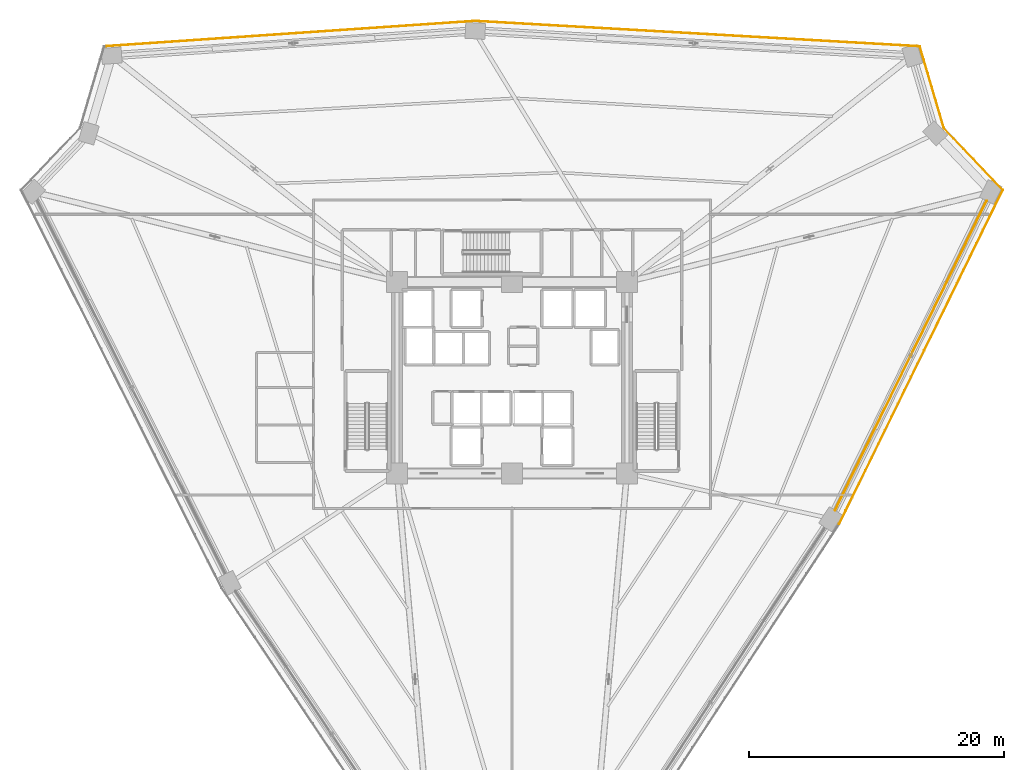
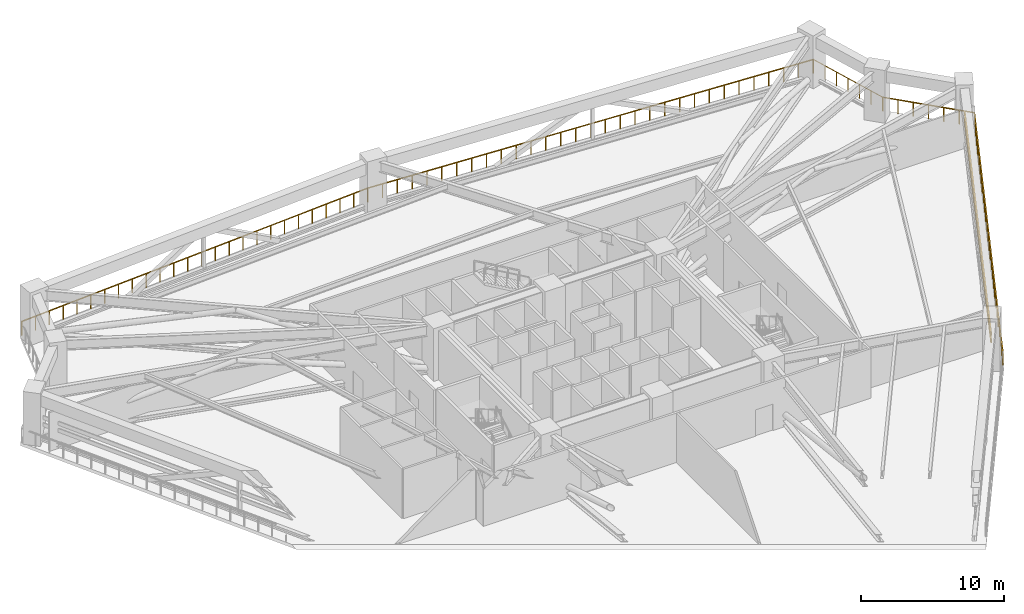
# One storey, part 25 of 25: 5 railings, 2 shading devices.
"""IFC4 building model written with IfcOpenShell, lengths in metres."""

import ifcopenshell
import ifcopenshell.guid

model = None  # the IFC model being written
_history = None  # IfcOwnerHistory: only IFC2X3 demands one
_inside = {}  # id of a spatial element -> (the spatial element, [elements in it])
_under = {}  # id of a project, library or spatial element -> (it, [spatial elements below it])
_declared = {}  # id of a project -> (the project, [libraries it declares])
_typed = {}  # id of a type object -> (the type object, [elements of that type])
_made_of = {}  # id of a material, layer set ... -> (it, [elements and type objects made of it])


def new_model(schema):
    """Start an empty IFC model of exactly this schema.

    Asked for "IFC4X3", IfcOpenShell would pick the latest addendum, in which some entities
    have other attributes; the version numbers below select the first issue.
    IFC2X3 requires an IfcOwnerHistory on every rooted entity: one is made here for all.
    """
    global model, _history
    if schema == "IFC4X3":
        model = ifcopenshell.file(schema_version=(4, 3, 0, 0))
    else:
        model = ifcopenshell.file(schema=schema)
    _inside.clear()
    _under.clear()
    _declared.clear()
    _typed.clear()
    _made_of.clear()
    _history = None
    if model.schema == "IFC2X3":
        org = make("IfcOrganization", Name="unknown")
        user = make(
            "IfcPersonAndOrganization",
            ThePerson=make("IfcPerson", FamilyName="unknown"),
            TheOrganization=org,
        )
        app = make(
            "IfcApplication",
            ApplicationDeveloper=org,
            Version="unknown",
            ApplicationFullName="unknown",
            ApplicationIdentifier="unknown",
        )
        _history = make(
            "IfcOwnerHistory",
            OwningUser=user,
            OwningApplication=app,
            ChangeAction="ADDED",
            CreationDate=0,
        )
    return model


def make(cls, **values):
    """One entity of the class cls with the attributes given. An attribute that is None is left unset."""
    return model.create_entity(
        cls, **{name: value for name, value in values.items() if value is not None}
    )


def rooted(cls, **values):
    """An entity with a GlobalId (a new one), such as an element, a storey or a relation."""
    return make(cls, GlobalId=ifcopenshell.guid.new(), OwnerHistory=_history, **values)


def si_unit(unit_type, name, prefix=None):
    """IfcSIUnit, for example si_unit("LENGTHUNIT", "METRE", prefix="MILLI")."""
    return make("IfcSIUnit", UnitType=unit_type, Prefix=prefix, Name=name)


def assignment(units):
    """IfcUnitAssignment: the units of a project."""
    return None if units is None else make("IfcUnitAssignment", Units=units)


def point(xyz):
    """IfcCartesianPoint."""
    return None if xyz is None else make("IfcCartesianPoint", Coordinates=xyz)


def direction(xyz):
    """IfcDirection."""
    return None if xyz is None else make("IfcDirection", DirectionRatios=xyz)


def frame(location, z_axis=None, x_axis=None):
    """IfcAxis2Placement3D, a coordinate frame: its origin and axes. An axis left out is left unset."""
    return make(
        "IfcAxis2Placement3D",
        Location=point(location),
        Axis=direction(z_axis),
        RefDirection=direction(x_axis),
    )


def frame_2d(location, x_axis=None):
    """IfcAxis2Placement2D, a coordinate frame in the plane: its origin and x axis."""
    return make(
        "IfcAxis2Placement2D", Location=point(location), RefDirection=direction(x_axis)
    )


def origin():
    """The frame at (0, 0, 0) with its axes left unset."""
    return frame((0.0, 0.0, 0.0))


def origin_2d():
    """The frame at (0, 0) in the plane with its x axis left unset."""
    return frame_2d((0.0, 0.0))


def place(relative_to, where):
    """IfcLocalPlacement: puts the frame where relative to a parent placement (None: the world)."""
    return make(
        "IfcLocalPlacement", PlacementRelTo=relative_to, RelativePlacement=where
    )


def context(
    kind, dimensions, precision=None, world=None, true_north=None, identifier=None
):
    """IfcGeometricRepresentationContext, for example the 3D "Model" context."""
    return make(
        "IfcGeometricRepresentationContext",
        ContextIdentifier=identifier,
        ContextType=kind,
        CoordinateSpaceDimension=dimensions,
        Precision=precision,
        WorldCoordinateSystem=world,
        TrueNorth=true_north,
    )


def subcontext(parent, identifier, kind, view, scale=None):
    """IfcGeometricRepresentationSubContext, for example "Body" below "Model"."""
    return make(
        "IfcGeometricRepresentationSubContext",
        ContextIdentifier=identifier,
        ContextType=kind,
        ParentContext=parent,
        TargetScale=scale,
        TargetView=view,
    )


def project(units=None, contexts=None):
    """IfcProject with its units and contexts."""
    return rooted(
        "IfcProject",
        Name="project",
        RepresentationContexts=contexts,
        UnitsInContext=assignment(units),
    )


def spatial(cls, under=None, at=None, **own):
    """A site, building, storey or space (cls), placed at a placement, below another one or the project."""
    s = rooted(cls, ObjectPlacement=at, **own)
    if under is not None:
        _under.setdefault(under.id(), (under, []))[1].append(s)
    return s


def profile(cls, at=None, kind="AREA", **sizes):
    """A parametric profile (cls). Its sizes go by their IFC names, for example OverallWidth=200.0."""
    return make(cls, ProfileType=kind, Position=at, **sizes)


def rectangle(**sizes):
    """IfcRectangleProfileDef."""
    return profile("IfcRectangleProfileDef", **sizes)


def extrude(swept, where, along, depth):
    """IfcExtrudedAreaSolid: the profile swept, set in the frame where, extruded along a direction by depth."""
    return make(
        "IfcExtrudedAreaSolid",
        SweptArea=swept,
        Position=where,
        ExtrudedDirection=direction(along),
        Depth=depth,
    )


def shape(context_of_items, identifier, shape_type, items):
    """IfcShapeRepresentation: the items that make up one representation, for example the "Body"."""
    return make(
        "IfcShapeRepresentation",
        ContextOfItems=context_of_items,
        RepresentationIdentifier=identifier,
        RepresentationType=shape_type,
        Items=items,
    )


def source(mapping_origin, context_of_items, identifier, shape_type, items):
    """IfcRepresentationMap: a shape defined once, which mapped items show again and again."""
    return make(
        "IfcRepresentationMap",
        MappingOrigin=mapping_origin,
        MappedRepresentation=shape(context_of_items, identifier, shape_type, items),
    )


def transform(
    local_origin,
    x_axis=None,
    y_axis=None,
    z_axis=None,
    scale=None,
    scale2=None,
    scale3=None,
    uniform=True,
):
    """IfcCartesianTransformationOperator3D, or its non-uniform kind. x_axis, y_axis, z_axis: its Axis1, 2, 3."""
    if uniform:
        return make(
            "IfcCartesianTransformationOperator3D",
            Axis1=direction(x_axis),
            Axis2=direction(y_axis),
            LocalOrigin=point(local_origin),
            Scale=scale,
            Axis3=direction(z_axis),
        )
    return make(
        "IfcCartesianTransformationOperator3DnonUniform",
        Axis1=direction(x_axis),
        Axis2=direction(y_axis),
        LocalOrigin=point(local_origin),
        Scale=scale,
        Axis3=direction(z_axis),
        Scale2=scale2,
        Scale3=scale3,
    )


def mapped(mapping_source, mapping_target):
    """IfcMappedItem: shows the shape of a source again, moved by a transform."""
    return make(
        "IfcMappedItem", MappingSource=mapping_source, MappingTarget=mapping_target
    )


def material(Name=None, Category=None):
    """IfcMaterial."""
    return make("IfcMaterial", Name=Name, Category=Category)


def material_profile(
    of_material, cross_section, Name=None, Category=None, Priority=None
):
    """IfcMaterialProfile: a cross section and its material."""
    return make(
        "IfcMaterialProfile",
        Name=Name,
        Material=of_material,
        Profile=cross_section,
        Priority=Priority,
        Category=Category,
    )


def profile_set(profiles, Name=None, composite=None):
    """IfcMaterialProfileSet."""
    return make(
        "IfcMaterialProfileSet",
        Name=Name,
        MaterialProfiles=profiles,
        CompositeProfile=composite,
    )


def made_of(thing, what):
    """Note that an element or type object is made of a material, layer set ...; save() writes the relation."""
    if what is not None:
        _made_of.setdefault(what.id(), (what, []))[1].append(thing)
    return thing


def type_object(cls, material=None, **own):
    """A type object (cls), such as IfcWallType, which elements share."""
    return made_of(rooted(cls, **own), material)


def element(
    cls,
    number,
    at=None,
    inside=None,
    cuts=None,
    type_object=None,
    material=None,
    context=None,
    identifier="Body",
    shape_type=None,
    held_by="IfcProductDefinitionShape",
    body=None,
    shapes=None,
    **own,
):
    """One element of the class cls, such as IfcWall. Its Tag is "e" and its number.

    at: its placement. inside: the storey or other place that contains it. cuts: it is an
    opening in that element (IfcRelVoidsElement). A single representation is given by context,
    identifier, shape_type and body (its items); several are given by shapes. held_by: the class
    of the entity that holds the representations. save() writes the other relations.
    """
    e = rooted(cls, Tag="e%d" % number, ObjectPlacement=at, **own)
    if body is not None:
        shapes = [shape(context, identifier, shape_type, body)]
    if shapes is not None:
        e.Representation = make(held_by, Representations=shapes)
    if inside is not None:
        _inside.setdefault(inside.id(), (inside, []))[1].append(e)
    if cuts is not None:
        rooted(
            "IfcRelVoidsElement", RelatingBuildingElement=cuts, RelatedOpeningElement=e
        )
    if type_object is not None:
        _typed.setdefault(type_object.id(), (type_object, []))[1].append(e)
    return made_of(e, material)


def aggregate(whole, parts):
    """IfcRelAggregates: a whole, such as a stair, and the parts it consists of."""
    return rooted("IfcRelAggregates", RelatingObject=whole, RelatedObjects=parts)


def save(model, path):
    """Write the relations noted so far, then the file.

    IfcRelAggregates (storeys below a building ...), IfcRelContainedInSpatialStructure (elements
    in a storey), IfcRelDefinesByType, IfcRelAssociatesMaterial and IfcRelDeclares: one each for
    every whole, place, type object, material and project.
    """
    for whole, parts in _under.values():
        aggregate(whole, parts)
    for where, things in _inside.values():
        rooted(
            "IfcRelContainedInSpatialStructure",
            RelatedElements=things,
            RelatingStructure=where,
        )
    for kind, things in _typed.values():
        rooted("IfcRelDefinesByType", RelatedObjects=things, RelatingType=kind)
    for what, things in _made_of.values():
        rooted("IfcRelAssociatesMaterial", RelatedObjects=things, RelatingMaterial=what)
    for by, libraries in _declared.values():
        rooted("IfcRelDeclares", RelatingContext=by, RelatedDefinitions=libraries)
    model.write(path)


model = new_model("IFC4")

# Units and contexts
model_context = context("Model", 3, precision=1e-05, world=origin(), true_north=direction((0.0, 1.0)))
body_context = subcontext(model_context, "Body", "Model", "MODEL_VIEW")
ifc_project = project(units=[si_unit("LENGTHUNIT", "METRE"), si_unit("AREAUNIT", "SQUARE_METRE"), si_unit("VOLUMEUNIT", "CUBIC_METRE"), si_unit("PLANEANGLEUNIT", "RADIAN"), si_unit("MASSUNIT", "GRAM", prefix="KILO")], contexts=[model_context])

# Site, building, storey
site_placement = place(None, origin())
site = spatial("IfcSite", under=ifc_project, at=site_placement, CompositionType="ELEMENT")
building_placement = place(site_placement, origin())
building = spatial("IfcBuilding", under=site, at=building_placement, Name="Liaohun Quay Tower", CompositionType="ELEMENT")
storey_placement = place(building_placement, frame((0.0, 0.0, 93.0)))
storey = spatial("IfcBuildingStorey", under=building, at=storey_placement, Name="L24", CompositionType="ELEMENT", Elevation=93.0)

# Railings
ifc_material_1 = material(Name="Galvanised and powder-coated steel", Category="steel")
railing_type = type_object("IfcRailingType", Name="RLG-GUARD-EXT", PredefinedType="GUARDRAIL", material=ifc_material_1)
railing_1_placement = place(storey_placement, frame((28.050048828125, 79.9541015625, 0.0)))
element("IfcRailing", 1, at=railing_1_placement, inside=storey, type_object=railing_type, Name="L24 Open Refuge Band Perimeter Guardrail 05", PredefinedType="GUARDRAIL", context=body_context, shape_type="SweptSolid", body=[
    extrude(rectangle(XDim=0.048095703125, YDim=0.048095703125, at=origin_2d()), frame((0.0, 0.0, 1.17578125), z_axis=(0.997674662834, 0.068156196626, 0.0), x_axis=(-0.068156196626, 0.997674662834, 0.0)), (0.0, 0.0, 1.0), 29.13671875),
    extrude(rectangle(XDim=0.0419921875, YDim=0.0419921875, at=origin_2d()), origin(), (0.0, 0.0, 1.0), 1.15185546875),
    extrude(rectangle(XDim=0.0419921875, YDim=0.0419921875, at=origin_2d()), frame((1.162841796875, 0.079345703125, 0.0)), (0.0, 0.0, 1.0), 1.15185546875),
    extrude(rectangle(XDim=0.0419921875, YDim=0.0419921875, at=origin_2d()), frame((2.325439453125, 0.158935546875, 0.0)), (0.0, 0.0, 1.0), 1.15185546875),
    extrude(rectangle(XDim=0.0419921875, YDim=0.0419921875, at=origin_2d()), frame((3.48828125, 0.23828125, 0.0)), (0.0, 0.0, 1.0), 1.15185546875),
    extrude(rectangle(XDim=0.0419921875, YDim=0.0419921875, at=origin_2d()), frame((4.651123046875, 0.317626953125, 0.0)), (0.0, 0.0, 1.0), 1.15185546875),
    extrude(rectangle(XDim=0.0419921875, YDim=0.0419921875, at=origin_2d()), frame((5.813720703125, 0.397216796875, 0.0)), (0.0, 0.0, 1.0), 1.15185546875),
    extrude(rectangle(XDim=0.0419921875, YDim=0.0419921875, at=origin_2d()), frame((6.9765625, 0.4765625, 0.0)), (0.0, 0.0, 1.0), 1.15185546875),
    extrude(rectangle(XDim=0.0419921875, YDim=0.0419921875, at=origin_2d()), frame((8.13916015625, 0.55615234375, 0.0)), (0.0, 0.0, 1.0), 1.15185546875),
    extrude(rectangle(XDim=0.0419921875, YDim=0.0419921875, at=origin_2d()), frame((9.302001953125, 0.635498046875, 0.0)), (0.0, 0.0, 1.0), 1.15185546875),
    extrude(rectangle(XDim=0.0419921875, YDim=0.0419921875, at=origin_2d()), frame((10.46484375, 0.71484375, 0.0)), (0.0, 0.0, 1.0), 1.15185546875),
    extrude(rectangle(XDim=0.0419921875, YDim=0.0419921875, at=origin_2d()), frame((11.62744140625, 0.79443359375, 0.0)), (0.0, 0.0, 1.0), 1.15185546875),
    extrude(rectangle(XDim=0.0419921875, YDim=0.0419921875, at=origin_2d()), frame((12.790283203125, 0.873779296875, 0.0)), (0.0, 0.0, 1.0), 1.15185546875),
    extrude(rectangle(XDim=0.0419921875, YDim=0.0419921875, at=origin_2d()), frame((13.953125, 0.953125, 0.0)), (0.0, 0.0, 1.0), 1.15185546875),
    extrude(rectangle(XDim=0.0419921875, YDim=0.0419921875, at=origin_2d()), frame((15.11572265625, 1.03271484375, 0.0)), (0.0, 0.0, 1.0), 1.15185546875),
    extrude(rectangle(XDim=0.0419921875, YDim=0.0419921875, at=origin_2d()), frame((16.278564453125, 1.112060546875, 0.0)), (0.0, 0.0, 1.0), 1.15185546875),
    extrude(rectangle(XDim=0.0419921875, YDim=0.0419921875, at=origin_2d()), frame((17.44140625, 1.19140625, 0.0)), (0.0, 0.0, 1.0), 1.15185546875),
    extrude(rectangle(XDim=0.0419921875, YDim=0.0419921875, at=origin_2d()), frame((18.60400390625, 1.27099609375, 0.0)), (0.0, 0.0, 1.0), 1.15185546875),
    extrude(rectangle(XDim=0.0419921875, YDim=0.0419921875, at=origin_2d()), frame((19.766845703125, 1.350341796875, 0.0)), (0.0, 0.0, 1.0), 1.15185546875),
    extrude(rectangle(XDim=0.0419921875, YDim=0.0419921875, at=origin_2d()), frame((20.9296875, 1.4296875, 0.0)), (0.0, 0.0, 1.0), 1.15185546875),
    extrude(rectangle(XDim=0.0419921875, YDim=0.0419921875, at=origin_2d()), frame((22.09228515625, 1.50927734375, 0.0)), (0.0, 0.0, 1.0), 1.15185546875),
    extrude(rectangle(XDim=0.0419921875, YDim=0.0419921875, at=origin_2d()), frame((23.255126953125, 1.588623046875, 0.0)), (0.0, 0.0, 1.0), 1.15185546875),
    extrude(rectangle(XDim=0.0419921875, YDim=0.0419921875, at=origin_2d()), frame((24.417724609375, 1.668212890625, 0.0)), (0.0, 0.0, 1.0), 1.15185546875),
    extrude(rectangle(XDim=0.0419921875, YDim=0.0419921875, at=origin_2d()), frame((25.58056640625, 1.74755859375, 0.0)), (0.0, 0.0, 1.0), 1.15185546875),
    extrude(rectangle(XDim=0.0419921875, YDim=0.0419921875, at=origin_2d()), frame((26.743408203125, 1.826904296875, 0.0)), (0.0, 0.0, 1.0), 1.15185546875),
    extrude(rectangle(XDim=0.0419921875, YDim=0.0419921875, at=origin_2d()), frame((27.906005859375, 1.906494140625, 0.0)), (0.0, 0.0, 1.0), 1.15185546875),
    extrude(rectangle(XDim=0.0419921875, YDim=0.0419921875, at=origin_2d()), frame((29.06884765625, 1.98583984375, 0.0)), (0.0, 0.0, 1.0), 1.15185546875),
])
railing_2_placement = place(storey_placement, frame((57.118896484375, 81.93994140625, 0.0)))
element("IfcRailing", 2, at=railing_2_placement, inside=storey, type_object=railing_type, Name="L24 Open Refuge Band Perimeter Guardrail 06", PredefinedType="GUARDRAIL", context=body_context, shape_type="SweptSolid", body=[
    extrude(rectangle(XDim=0.048095703125, YDim=0.048095703125, at=origin_2d()), frame((0.0, 0.0, 1.17578125), z_axis=(0.998376693741, -0.056955925017, 0.0), x_axis=(0.056955925017, 0.998376693741, 0.0)), (0.0, 0.0, 1.0), 34.8876953125),
    extrude(rectangle(XDim=0.0419921875, YDim=0.0419921875, at=origin_2d()), origin(), (0.0, 0.0, 1.0), 1.15185546875),
    extrude(rectangle(XDim=0.0419921875, YDim=0.0419921875, at=origin_2d()), frame((1.1611328125, -0.066162109375, 0.0)), (0.0, 0.0, 1.0), 1.15185546875),
    extrude(rectangle(XDim=0.0419921875, YDim=0.0419921875, at=origin_2d()), frame((2.322021484375, -0.132568359375, 0.0)), (0.0, 0.0, 1.0), 1.15185546875),
    extrude(rectangle(XDim=0.0419921875, YDim=0.0419921875, at=origin_2d()), frame((3.483154296875, -0.19873046875, 0.0)), (0.0, 0.0, 1.0), 1.15185546875),
    extrude(rectangle(XDim=0.0419921875, YDim=0.0419921875, at=origin_2d()), frame((4.64404296875, -0.264892578125, 0.0)), (0.0, 0.0, 1.0), 1.15185546875),
    extrude(rectangle(XDim=0.0419921875, YDim=0.0419921875, at=origin_2d()), frame((5.80517578125, -0.3310546875, 0.0)), (0.0, 0.0, 1.0), 1.15185546875),
    extrude(rectangle(XDim=0.0419921875, YDim=0.0419921875, at=origin_2d()), frame((6.96630859375, -0.3974609375, 0.0)), (0.0, 0.0, 1.0), 1.15185546875),
    extrude(rectangle(XDim=0.0419921875, YDim=0.0419921875, at=origin_2d()), frame((8.127197265625, -0.463623046875, 0.0)), (0.0, 0.0, 1.0), 1.15185546875),
    extrude(rectangle(XDim=0.0419921875, YDim=0.0419921875, at=origin_2d()), frame((9.288330078125, -0.52978515625, 0.0)), (0.0, 0.0, 1.0), 1.15185546875),
    extrude(rectangle(XDim=0.0419921875, YDim=0.0419921875, at=origin_2d()), frame((10.44921875, -0.59619140625, 0.0)), (0.0, 0.0, 1.0), 1.15185546875),
    extrude(rectangle(XDim=0.0419921875, YDim=0.0419921875, at=origin_2d()), frame((11.6103515625, -0.662353515625, 0.0)), (0.0, 0.0, 1.0), 1.15185546875),
    extrude(rectangle(XDim=0.0419921875, YDim=0.0419921875, at=origin_2d()), frame((12.771484375, -0.728515625, 0.0)), (0.0, 0.0, 1.0), 1.15185546875),
    extrude(rectangle(XDim=0.0419921875, YDim=0.0419921875, at=origin_2d()), frame((13.932373046875, -0.794921875, 0.0)), (0.0, 0.0, 1.0), 1.15185546875),
    extrude(rectangle(XDim=0.0419921875, YDim=0.0419921875, at=origin_2d()), frame((15.093505859375, -0.861083984375, 0.0)), (0.0, 0.0, 1.0), 1.15185546875),
    extrude(rectangle(XDim=0.0419921875, YDim=0.0419921875, at=origin_2d()), frame((16.25439453125, -0.92724609375, 0.0)), (0.0, 0.0, 1.0), 1.15185546875),
    extrude(rectangle(XDim=0.0419921875, YDim=0.0419921875, at=origin_2d()), frame((17.41552734375, -0.99365234375, 0.0)), (0.0, 0.0, 1.0), 1.15185546875),
    extrude(rectangle(XDim=0.0419921875, YDim=0.0419921875, at=origin_2d()), frame((18.57666015625, -1.059814453125, 0.0)), (0.0, 0.0, 1.0), 1.15185546875),
    extrude(rectangle(XDim=0.0419921875, YDim=0.0419921875, at=origin_2d()), frame((19.737548828125, -1.1259765625, 0.0)), (0.0, 0.0, 1.0), 1.15185546875),
    extrude(rectangle(XDim=0.0419921875, YDim=0.0419921875, at=origin_2d()), frame((20.898681640625, -1.192138671875, 0.0)), (0.0, 0.0, 1.0), 1.15185546875),
    extrude(rectangle(XDim=0.0419921875, YDim=0.0419921875, at=origin_2d()), frame((22.0595703125, -1.258544921875, 0.0)), (0.0, 0.0, 1.0), 1.15185546875),
    extrude(rectangle(XDim=0.0419921875, YDim=0.0419921875, at=origin_2d()), frame((23.220703125, -1.32470703125, 0.0)), (0.0, 0.0, 1.0), 1.15185546875),
    extrude(rectangle(XDim=0.0419921875, YDim=0.0419921875, at=origin_2d()), frame((24.3818359375, -1.390869140625, 0.0)), (0.0, 0.0, 1.0), 1.15185546875),
    extrude(rectangle(XDim=0.0419921875, YDim=0.0419921875, at=origin_2d()), frame((25.542724609375, -1.457275390625, 0.0)), (0.0, 0.0, 1.0), 1.15185546875),
    extrude(rectangle(XDim=0.0419921875, YDim=0.0419921875, at=origin_2d()), frame((26.703857421875, -1.5234375, 0.0)), (0.0, 0.0, 1.0), 1.15185546875),
    extrude(rectangle(XDim=0.0419921875, YDim=0.0419921875, at=origin_2d()), frame((27.86474609375, -1.589599609375, 0.0)), (0.0, 0.0, 1.0), 1.15185546875),
    extrude(rectangle(XDim=0.0419921875, YDim=0.0419921875, at=origin_2d()), frame((29.02587890625, -1.65576171875, 0.0)), (0.0, 0.0, 1.0), 1.15185546875),
    extrude(rectangle(XDim=0.0419921875, YDim=0.0419921875, at=origin_2d()), frame((30.18701171875, -1.72216796875, 0.0)), (0.0, 0.0, 1.0), 1.15185546875),
    extrude(rectangle(XDim=0.0419921875, YDim=0.0419921875, at=origin_2d()), frame((31.347900390625, -1.788330078125, 0.0)), (0.0, 0.0, 1.0), 1.15185546875),
    extrude(rectangle(XDim=0.0419921875, YDim=0.0419921875, at=origin_2d()), frame((32.509033203125, -1.8544921875, 0.0)), (0.0, 0.0, 1.0), 1.15185546875),
    extrude(rectangle(XDim=0.0419921875, YDim=0.0419921875, at=origin_2d()), frame((33.669921875, -1.9208984375, 0.0)), (0.0, 0.0, 1.0), 1.15185546875),
    extrude(rectangle(XDim=0.0419921875, YDim=0.0419921875, at=origin_2d()), frame((34.8310546875, -1.987060546875, 0.0)), (0.0, 0.0, 1.0), 1.15185546875),
])
railing_3_placement = place(storey_placement, frame((91.949951171875, 79.952880859375, 0.0)))
element("IfcRailing", 3, at=railing_3_placement, inside=storey, type_object=railing_type, Name="L24 Open Refuge Band Perimeter Guardrail 07", PredefinedType="GUARDRAIL", context=body_context, shape_type="SweptSolid", body=[
    extrude(rectangle(XDim=0.048095703125, YDim=0.048095703125, at=origin_2d()), frame((0.0, 0.0, 1.17578125), z_axis=(0.282773029231, -0.959186850379, 0.0), x_axis=(0.959186850379, 0.282773029231, 0.0)), (0.0, 0.0, 1.0), 6.687744140625),
    extrude(rectangle(XDim=0.0419921875, YDim=0.0419921875, at=origin_2d()), origin(), (0.0, 0.0, 1.0), 1.15185546875),
    extrude(rectangle(XDim=0.0419921875, YDim=0.0419921875, at=origin_2d()), frame((0.315185546875, -1.069091796875, 0.0)), (0.0, 0.0, 1.0), 1.15185546875),
    extrude(rectangle(XDim=0.0419921875, YDim=0.0419921875, at=origin_2d()), frame((0.63037109375, -2.13818359375, 0.0)), (0.0, 0.0, 1.0), 1.15185546875),
    extrude(rectangle(XDim=0.0419921875, YDim=0.0419921875, at=origin_2d()), frame((0.945556640625, -3.20751953125, 0.0)), (0.0, 0.0, 1.0), 1.15185546875),
    extrude(rectangle(XDim=0.0419921875, YDim=0.0419921875, at=origin_2d()), frame((1.2607421875, -4.276611328125, 0.0)), (0.0, 0.0, 1.0), 1.15185546875),
    extrude(rectangle(XDim=0.0419921875, YDim=0.0419921875, at=origin_2d()), frame((1.575927734375, -5.345703125, 0.0)), (0.0, 0.0, 1.0), 1.15185546875),
    extrude(rectangle(XDim=0.0419921875, YDim=0.0419921875, at=origin_2d()), frame((1.89111328125, -6.414794921875, 0.0)), (0.0, 0.0, 1.0), 1.15185546875),
])
railing_4_placement = place(storey_placement, frame((93.841064453125, 73.5380859375, 0.0)))
element("IfcRailing", 4, at=railing_4_placement, inside=storey, type_object=railing_type, Name="L24 Open Refuge Band Perimeter Guardrail 08", PredefinedType="GUARDRAIL", context=body_context, shape_type="SweptSolid", body=[
    extrude(rectangle(XDim=0.048095703125, YDim=0.048095703125, at=origin_2d()), frame((0.0, 0.0, 1.17578125), z_axis=(0.68937262734, -0.724406916501, 0.0), x_axis=(0.724406916501, 0.68937262734, 0.0)), (0.0, 0.0, 1.0), 6.68994140625),
    extrude(rectangle(XDim=0.0419921875, YDim=0.0419921875, at=origin_2d()), origin(), (0.0, 0.0, 1.0), 1.15185546875),
    extrude(rectangle(XDim=0.0419921875, YDim=0.0419921875, at=origin_2d()), frame((0.7685546875, -0.8076171875, 0.0)), (0.0, 0.0, 1.0), 1.15185546875),
    extrude(rectangle(XDim=0.0419921875, YDim=0.0419921875, at=origin_2d()), frame((1.537353515625, -1.615478515625, 0.0)), (0.0, 0.0, 1.0), 1.15185546875),
    extrude(rectangle(XDim=0.0419921875, YDim=0.0419921875, at=origin_2d()), frame((2.305908203125, -2.423095703125, 0.0)), (0.0, 0.0, 1.0), 1.15185546875),
    extrude(rectangle(XDim=0.0419921875, YDim=0.0419921875, at=origin_2d()), frame((3.074462890625, -3.230712890625, 0.0)), (0.0, 0.0, 1.0), 1.15185546875),
    extrude(rectangle(XDim=0.0419921875, YDim=0.0419921875, at=origin_2d()), frame((3.84326171875, -4.03857421875, 0.0)), (0.0, 0.0, 1.0), 1.15185546875),
    extrude(rectangle(XDim=0.0419921875, YDim=0.0419921875, at=origin_2d()), frame((4.61181640625, -4.84619140625, 0.0)), (0.0, 0.0, 1.0), 1.15185546875),
])
railing_5_placement = place(storey_placement, frame((98.452880859375, 68.69189453125, 0.0)))
element("IfcRailing", 5, at=railing_5_placement, inside=storey, type_object=railing_type, Name="L24 Open Refuge Band Perimeter Guardrail 09", PredefinedType="GUARDRAIL", context=body_context, shape_type="SweptSolid", body=[
    extrude(rectangle(XDim=0.048095703125, YDim=0.048095703125, at=origin_2d()), frame((0.0, 0.0, 1.17578125), z_axis=(-0.439851726347, -0.898070408615, 0.0), x_axis=(0.898070408615, -0.439851726347, 0.0)), (0.0, 0.0, 1.0), 29.136962890625),
    extrude(rectangle(XDim=0.0419921875, YDim=0.0419921875, at=origin_2d()), origin(), (0.0, 0.0, 1.0), 1.15185546875),
    extrude(rectangle(XDim=0.0419921875, YDim=0.0419921875, at=origin_2d()), frame((-0.5126953125, -1.046630859375, 0.0)), (0.0, 0.0, 1.0), 1.15185546875),
    extrude(rectangle(XDim=0.0419921875, YDim=0.0419921875, at=origin_2d()), frame((-1.025390625, -2.09326171875, 0.0)), (0.0, 0.0, 1.0), 1.15185546875),
    extrude(rectangle(XDim=0.0419921875, YDim=0.0419921875, at=origin_2d()), frame((-1.537841796875, -3.14013671875, 0.0)), (0.0, 0.0, 1.0), 1.15185546875),
    extrude(rectangle(XDim=0.0419921875, YDim=0.0419921875, at=origin_2d()), frame((-2.050537109375, -4.186767578125, 0.0)), (0.0, 0.0, 1.0), 1.15185546875),
    extrude(rectangle(XDim=0.0419921875, YDim=0.0419921875, at=origin_2d()), frame((-2.563232421875, -5.2333984375, 0.0)), (0.0, 0.0, 1.0), 1.15185546875),
    extrude(rectangle(XDim=0.0419921875, YDim=0.0419921875, at=origin_2d()), frame((-3.075927734375, -6.280029296875, 0.0)), (0.0, 0.0, 1.0), 1.15185546875),
    extrude(rectangle(XDim=0.0419921875, YDim=0.0419921875, at=origin_2d()), frame((-3.58837890625, -7.32666015625, 0.0)), (0.0, 0.0, 1.0), 1.15185546875),
    extrude(rectangle(XDim=0.0419921875, YDim=0.0419921875, at=origin_2d()), frame((-4.10107421875, -8.37353515625, 0.0)), (0.0, 0.0, 1.0), 1.15185546875),
    extrude(rectangle(XDim=0.0419921875, YDim=0.0419921875, at=origin_2d()), frame((-4.61376953125, -9.420166015625, 0.0)), (0.0, 0.0, 1.0), 1.15185546875),
    extrude(rectangle(XDim=0.0419921875, YDim=0.0419921875, at=origin_2d()), frame((-5.12646484375, -10.466796875, 0.0)), (0.0, 0.0, 1.0), 1.15185546875),
    extrude(rectangle(XDim=0.0419921875, YDim=0.0419921875, at=origin_2d()), frame((-5.638916015625, -11.513427734375, 0.0)), (0.0, 0.0, 1.0), 1.15185546875),
    extrude(rectangle(XDim=0.0419921875, YDim=0.0419921875, at=origin_2d()), frame((-6.151611328125, -12.56005859375, 0.0)), (0.0, 0.0, 1.0), 1.15185546875),
    extrude(rectangle(XDim=0.0419921875, YDim=0.0419921875, at=origin_2d()), frame((-6.664306640625, -13.60693359375, 0.0)), (0.0, 0.0, 1.0), 1.15185546875),
    extrude(rectangle(XDim=0.0419921875, YDim=0.0419921875, at=origin_2d()), frame((-7.177001953125, -14.653564453125, 0.0)), (0.0, 0.0, 1.0), 1.15185546875),
    extrude(rectangle(XDim=0.0419921875, YDim=0.0419921875, at=origin_2d()), frame((-7.689453125, -15.7001953125, 0.0)), (0.0, 0.0, 1.0), 1.15185546875),
    extrude(rectangle(XDim=0.0419921875, YDim=0.0419921875, at=origin_2d()), frame((-8.2021484375, -16.746826171875, 0.0)), (0.0, 0.0, 1.0), 1.15185546875),
    extrude(rectangle(XDim=0.0419921875, YDim=0.0419921875, at=origin_2d()), frame((-8.71484375, -17.79345703125, 0.0)), (0.0, 0.0, 1.0), 1.15185546875),
    extrude(rectangle(XDim=0.0419921875, YDim=0.0419921875, at=origin_2d()), frame((-9.2275390625, -18.84033203125, 0.0)), (0.0, 0.0, 1.0), 1.15185546875),
    extrude(rectangle(XDim=0.0419921875, YDim=0.0419921875, at=origin_2d()), frame((-9.739990234375, -19.886962890625, 0.0)), (0.0, 0.0, 1.0), 1.15185546875),
    extrude(rectangle(XDim=0.0419921875, YDim=0.0419921875, at=origin_2d()), frame((-10.252685546875, -20.93359375, 0.0)), (0.0, 0.0, 1.0), 1.15185546875),
    extrude(rectangle(XDim=0.0419921875, YDim=0.0419921875, at=origin_2d()), frame((-10.765380859375, -21.980224609375, 0.0)), (0.0, 0.0, 1.0), 1.15185546875),
    extrude(rectangle(XDim=0.0419921875, YDim=0.0419921875, at=origin_2d()), frame((-11.278076171875, -23.02685546875, 0.0)), (0.0, 0.0, 1.0), 1.15185546875),
    extrude(rectangle(XDim=0.0419921875, YDim=0.0419921875, at=origin_2d()), frame((-11.79052734375, -24.07373046875, 0.0)), (0.0, 0.0, 1.0), 1.15185546875),
    extrude(rectangle(XDim=0.0419921875, YDim=0.0419921875, at=origin_2d()), frame((-12.30322265625, -25.120361328125, 0.0)), (0.0, 0.0, 1.0), 1.15185546875),
    extrude(rectangle(XDim=0.0419921875, YDim=0.0419921875, at=origin_2d()), frame((-12.81591796875, -26.1669921875, 0.0)), (0.0, 0.0, 1.0), 1.15185546875),
])

# Shading devices
ifc_material_2 = material(Name="Fluorocarbon-coated aluminium", Category="aluminium")
ifc_material_profile = material_profile(ifc_material_2, rectangle(XDim=0.06494140625, YDim=0.320068359375, at=origin_2d()), Name="ALU-LVR-320x65")
ifc_profile_set = profile_set([ifc_material_profile], Name="Fluorocarbon-coated aluminium")
shading_device_type = type_object("IfcShadingDeviceType", Name="SHD-LVR-REF", PredefinedType="USERDEFINED", material=ifc_profile_set)
shared_shape = source(origin(), body_context, "Body", "SweptSolid", [
    extrude(rectangle(XDim=0.06494140625, YDim=0.320068359375, at=origin_2d()), origin(), (0.0, 0.0, 1.0), 27.0234375),
])
for number, where, z_axis, x_axis, name in (
    (6, (97.18896484375, 67.863037109375, 1.550048828125), (-0.43984083091, -0.898075744837, 0.0), (0.898075744837, -0.43984083091, 0.0), "L24 Refuge Plant Acoustic Louvre Blade LV-1-05"),
    (7, (97.18896484375, 67.863037109375, 2.14990234375), (-0.43984083091, -0.898075744837, 0.0), (0.898075744837, -0.43984083091, 0.0), "L24 Refuge Plant Acoustic Louvre Blade LV-1-06"),
):
    element("IfcShadingDevice", number, at=place(storey_placement, frame(where, z_axis=z_axis, x_axis=x_axis)), inside=storey, type_object=shading_device_type, Name=name, ObjectType="LOUVRE", PredefinedType="USERDEFINED", context=body_context, shape_type="MappedRepresentation", body=[
        mapped(shared_shape, transform((0.0, 0.0, 0.0), x_axis=(1.0, 0.0, 0.0), y_axis=(0.0, 1.0, 0.0), z_axis=(0.0, 0.0, 1.0), scale=1.0)),
    ])

save(model, "model.ifc")
